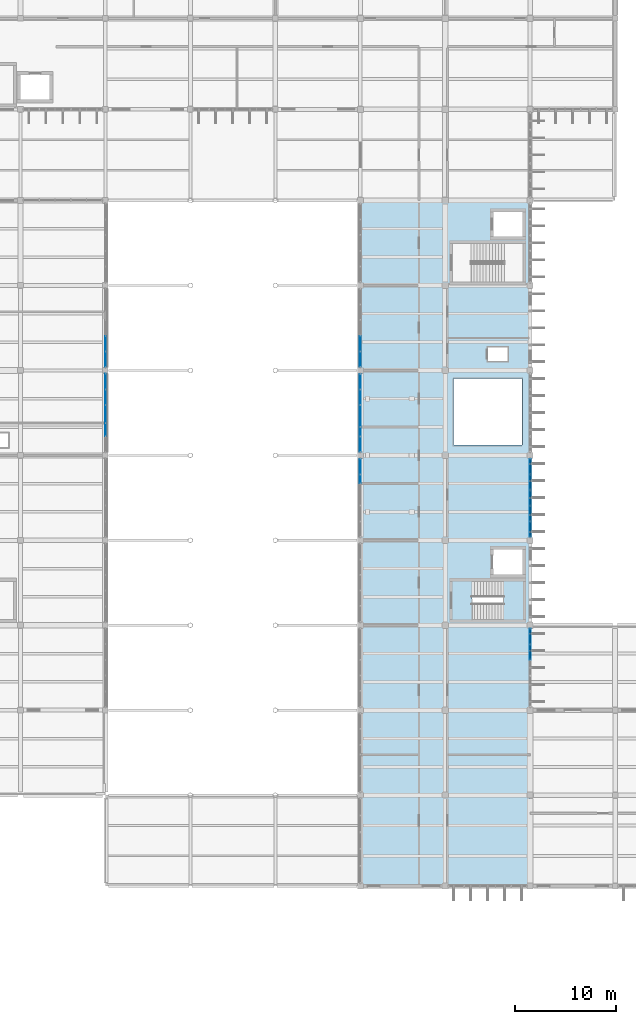
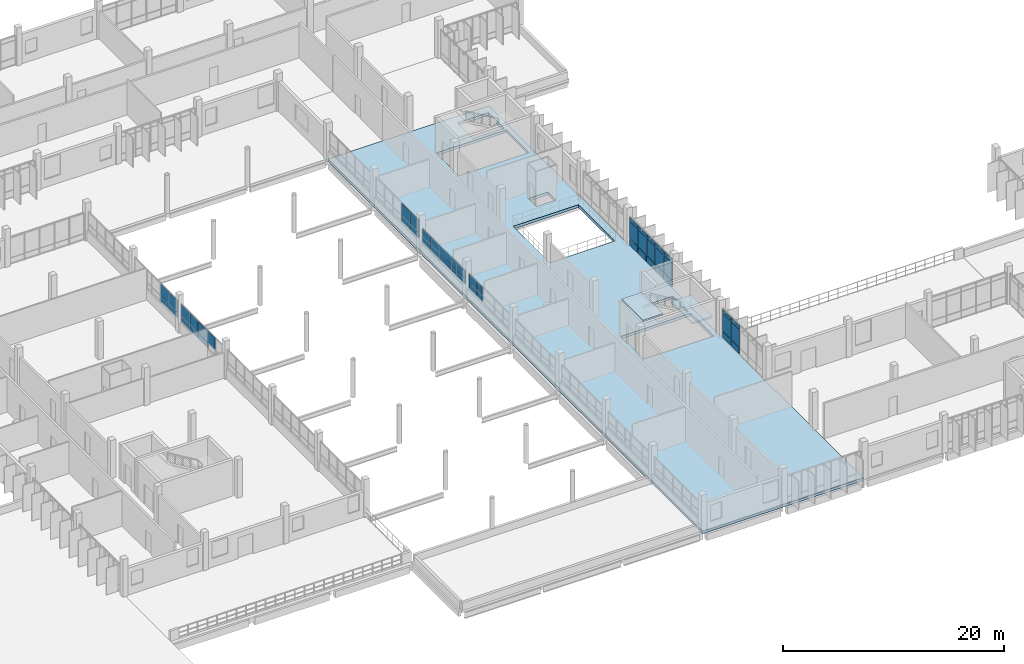
# One storey, part 98 of 130: 50 plates, 3 slabs, 6 openings, 8 elements without a shape of their own.
"""IFC4 building model written with IfcOpenShell, lengths in metres."""

import ifcopenshell
import ifcopenshell.guid

model = None  # the IFC model being written
_history = None  # IfcOwnerHistory: only IFC2X3 demands one
_inside = {}  # id of a spatial element -> (the spatial element, [elements in it])
_under = {}  # id of a project, library or spatial element -> (it, [spatial elements below it])
_declared = {}  # id of a project -> (the project, [libraries it declares])
_typed = {}  # id of a type object -> (the type object, [elements of that type])
_made_of = {}  # id of a material, layer set ... -> (it, [elements and type objects made of it])


def new_model(schema):
    """Start an empty IFC model of exactly this schema.

    Asked for "IFC4X3", IfcOpenShell would pick the latest addendum, in which some entities
    have other attributes; the version numbers below select the first issue.
    IFC2X3 requires an IfcOwnerHistory on every rooted entity: one is made here for all.
    """
    global model, _history
    if schema == "IFC4X3":
        model = ifcopenshell.file(schema_version=(4, 3, 0, 0))
    else:
        model = ifcopenshell.file(schema=schema)
    _inside.clear()
    _under.clear()
    _declared.clear()
    _typed.clear()
    _made_of.clear()
    _history = None
    if model.schema == "IFC2X3":
        org = make("IfcOrganization", Name="unknown")
        user = make(
            "IfcPersonAndOrganization",
            ThePerson=make("IfcPerson", FamilyName="unknown"),
            TheOrganization=org,
        )
        app = make(
            "IfcApplication",
            ApplicationDeveloper=org,
            Version="unknown",
            ApplicationFullName="unknown",
            ApplicationIdentifier="unknown",
        )
        _history = make(
            "IfcOwnerHistory",
            OwningUser=user,
            OwningApplication=app,
            ChangeAction="ADDED",
            CreationDate=0,
        )
    return model


def make(cls, **values):
    """One entity of the class cls with the attributes given. An attribute that is None is left unset."""
    return model.create_entity(
        cls, **{name: value for name, value in values.items() if value is not None}
    )


def rooted(cls, **values):
    """An entity with a GlobalId (a new one), such as an element, a storey or a relation."""
    return make(cls, GlobalId=ifcopenshell.guid.new(), OwnerHistory=_history, **values)


def si_unit(unit_type, name, prefix=None):
    """IfcSIUnit, for example si_unit("LENGTHUNIT", "METRE", prefix="MILLI")."""
    return make("IfcSIUnit", UnitType=unit_type, Prefix=prefix, Name=name)


def assignment(units):
    """IfcUnitAssignment: the units of a project."""
    return None if units is None else make("IfcUnitAssignment", Units=units)


def point(xyz):
    """IfcCartesianPoint."""
    return None if xyz is None else make("IfcCartesianPoint", Coordinates=xyz)


def direction(xyz):
    """IfcDirection."""
    return None if xyz is None else make("IfcDirection", DirectionRatios=xyz)


def frame(location, z_axis=None, x_axis=None):
    """IfcAxis2Placement3D, a coordinate frame: its origin and axes. An axis left out is left unset."""
    return make(
        "IfcAxis2Placement3D",
        Location=point(location),
        Axis=direction(z_axis),
        RefDirection=direction(x_axis),
    )


def frame_2d(location, x_axis=None):
    """IfcAxis2Placement2D, a coordinate frame in the plane: its origin and x axis."""
    return make(
        "IfcAxis2Placement2D", Location=point(location), RefDirection=direction(x_axis)
    )


def origin():
    """The frame at (0, 0, 0) with its axes left unset."""
    return frame((0.0, 0.0, 0.0))


def origin_2d():
    """The frame at (0, 0) in the plane with its x axis left unset."""
    return frame_2d((0.0, 0.0))


def place(relative_to, where):
    """IfcLocalPlacement: puts the frame where relative to a parent placement (None: the world)."""
    return make(
        "IfcLocalPlacement", PlacementRelTo=relative_to, RelativePlacement=where
    )


def context(
    kind, dimensions, precision=None, world=None, true_north=None, identifier=None
):
    """IfcGeometricRepresentationContext, for example the 3D "Model" context."""
    return make(
        "IfcGeometricRepresentationContext",
        ContextIdentifier=identifier,
        ContextType=kind,
        CoordinateSpaceDimension=dimensions,
        Precision=precision,
        WorldCoordinateSystem=world,
        TrueNorth=true_north,
    )


def subcontext(parent, identifier, kind, view, scale=None):
    """IfcGeometricRepresentationSubContext, for example "Body" below "Model"."""
    return make(
        "IfcGeometricRepresentationSubContext",
        ContextIdentifier=identifier,
        ContextType=kind,
        ParentContext=parent,
        TargetScale=scale,
        TargetView=view,
    )


def project(units=None, contexts=None):
    """IfcProject with its units and contexts."""
    return rooted(
        "IfcProject",
        Name="project",
        RepresentationContexts=contexts,
        UnitsInContext=assignment(units),
    )


def spatial(cls, under=None, at=None, **own):
    """A site, building, storey or space (cls), placed at a placement, below another one or the project."""
    s = rooted(cls, ObjectPlacement=at, **own)
    if under is not None:
        _under.setdefault(under.id(), (under, []))[1].append(s)
    return s


def polyline(points):
    """IfcPolyline through the points."""
    return make("IfcPolyline", Points=[point(p) for p in points])


def profile(cls, at=None, kind="AREA", **sizes):
    """A parametric profile (cls). Its sizes go by their IFC names, for example OverallWidth=200.0."""
    return make(cls, ProfileType=kind, Position=at, **sizes)


def rectangle(**sizes):
    """IfcRectangleProfileDef."""
    return profile("IfcRectangleProfileDef", **sizes)


def outline(outer, holes=None, kind="AREA"):
    """IfcArbitraryClosedProfileDef: a profile drawn as a closed curve; with holes, ...WithVoids."""
    if holes is None:
        return make("IfcArbitraryClosedProfileDef", ProfileType=kind, OuterCurve=outer)
    return make(
        "IfcArbitraryProfileDefWithVoids",
        ProfileType=kind,
        OuterCurve=outer,
        InnerCurves=holes,
    )


def extrude(swept, where, along, depth):
    """IfcExtrudedAreaSolid: the profile swept, set in the frame where, extruded along a direction by depth."""
    return make(
        "IfcExtrudedAreaSolid",
        SweptArea=swept,
        Position=where,
        ExtrudedDirection=direction(along),
        Depth=depth,
    )


def shape(context_of_items, identifier, shape_type, items):
    """IfcShapeRepresentation: the items that make up one representation, for example the "Body"."""
    return make(
        "IfcShapeRepresentation",
        ContextOfItems=context_of_items,
        RepresentationIdentifier=identifier,
        RepresentationType=shape_type,
        Items=items,
    )


def material(Name=None, Category=None):
    """IfcMaterial."""
    return make("IfcMaterial", Name=Name, Category=Category)


def layer(
    of_material, thickness, ventilated=None, Name=None, Category=None, Priority=None
):
    """IfcMaterialLayer: one layer of a wall or slab, of a material (None: an air gap)."""
    return make(
        "IfcMaterialLayer",
        Material=of_material,
        LayerThickness=thickness,
        IsVentilated=ventilated,
        Name=Name,
        Category=Category,
        Priority=Priority,
    )


def layer_set(layers, Name=None):
    """IfcMaterialLayerSet."""
    return make("IfcMaterialLayerSet", MaterialLayers=layers, LayerSetName=Name)


def made_of(thing, what):
    """Note that an element or type object is made of a material, layer set ...; save() writes the relation."""
    if what is not None:
        _made_of.setdefault(what.id(), (what, []))[1].append(thing)
    return thing


def type_object(cls, material=None, **own):
    """A type object (cls), such as IfcWallType, which elements share."""
    return made_of(rooted(cls, **own), material)


def element(
    cls,
    number,
    at=None,
    inside=None,
    cuts=None,
    type_object=None,
    material=None,
    context=None,
    identifier="Body",
    shape_type=None,
    held_by="IfcProductDefinitionShape",
    body=None,
    shapes=None,
    **own,
):
    """One element of the class cls, such as IfcWall. Its Tag is "e" and its number.

    at: its placement. inside: the storey or other place that contains it. cuts: it is an
    opening in that element (IfcRelVoidsElement). A single representation is given by context,
    identifier, shape_type and body (its items); several are given by shapes. held_by: the class
    of the entity that holds the representations. save() writes the other relations.
    """
    e = rooted(cls, Tag="e%d" % number, ObjectPlacement=at, **own)
    if body is not None:
        shapes = [shape(context, identifier, shape_type, body)]
    if shapes is not None:
        e.Representation = make(held_by, Representations=shapes)
    if inside is not None:
        _inside.setdefault(inside.id(), (inside, []))[1].append(e)
    if cuts is not None:
        rooted(
            "IfcRelVoidsElement", RelatingBuildingElement=cuts, RelatedOpeningElement=e
        )
    if type_object is not None:
        _typed.setdefault(type_object.id(), (type_object, []))[1].append(e)
    return made_of(e, material)


def aggregate(whole, parts):
    """IfcRelAggregates: a whole, such as a stair, and the parts it consists of."""
    return rooted("IfcRelAggregates", RelatingObject=whole, RelatedObjects=parts)


def save(model, path):
    """Write the relations noted so far, then the file.

    IfcRelAggregates (storeys below a building ...), IfcRelContainedInSpatialStructure (elements
    in a storey), IfcRelDefinesByType, IfcRelAssociatesMaterial and IfcRelDeclares: one each for
    every whole, place, type object, material and project.
    """
    for whole, parts in _under.values():
        aggregate(whole, parts)
    for where, things in _inside.values():
        rooted(
            "IfcRelContainedInSpatialStructure",
            RelatedElements=things,
            RelatingStructure=where,
        )
    for kind, things in _typed.values():
        rooted("IfcRelDefinesByType", RelatedObjects=things, RelatingType=kind)
    for what, things in _made_of.values():
        rooted("IfcRelAssociatesMaterial", RelatedObjects=things, RelatingMaterial=what)
    for by, libraries in _declared.values():
        rooted("IfcRelDeclares", RelatingContext=by, RelatedDefinitions=libraries)
    model.write(path)


model = new_model("IFC4")

# Units and contexts
model_context = context("Model", 3, precision=1e-05, world=origin(), true_north=direction((0.0, 1.0)))
body_context = subcontext(model_context, "Body", "Model", "MODEL_VIEW")
ifc_project = project(units=[si_unit("LENGTHUNIT", "METRE"), si_unit("AREAUNIT", "SQUARE_METRE"), si_unit("VOLUMEUNIT", "CUBIC_METRE"), si_unit("PLANEANGLEUNIT", "RADIAN"), si_unit("MASSUNIT", "GRAM", prefix="KILO")], contexts=[model_context])

# Site, building, storey
site_placement = place(None, origin())
site = spatial("IfcSite", under=ifc_project, at=site_placement, CompositionType="ELEMENT")
building_placement = place(site_placement, origin())
building = spatial("IfcBuilding", under=site, at=building_placement, Name="Vireocrest Preparatory School", CompositionType="ELEMENT")
storey_placement = place(building_placement, frame((0.0, 0.0, 9.0)))
storey = spatial("IfcBuildingStorey", under=building, at=storey_placement, Name="L02", CompositionType="ELEMENT", Elevation=9.0)

# Curtain wall, plates
ifc_material_1 = material(Name="Thermally broken aluminium EN AW-6063-T6", Category="aluminium")
ifc_layer_1 = layer(ifc_material_1, 0.179931640625)
ifc_layer_set_1 = layer_set([ifc_layer_1], Name="Thermally broken aluminium EN AW-6063-T6")
curtain_wall_type_1 = type_object("IfcCurtainWallType", Name="Teaching Fin Curtain Wall 8400x4200", PredefinedType="USERDEFINED", material=ifc_layer_set_1)
curtain_wall_1_placement = place(storey_placement, origin())
curtain_wall_1 = element("IfcCurtainWall", 1, at=curtain_wall_1_placement, inside=storey, type_object=curtain_wall_type_1, Name="Curtain Wall CW03 CW_L02_CW03_1092_0357_090", ObjectType="CURTAIN WALL", PredefinedType="USERDEFINED")
ifc_material_2 = material(Name="Insulated triple low-e tempered safety glass", Category="glass")
ifc_layer_2 = layer(ifc_material_2, 0.074951171875)
ifc_layer_set_2 = layer_set([ifc_layer_2], Name="Insulated triple low-e tempered safety glass")
plate_type_1 = type_object("IfcPlateType", Name="Acoustic Triple-Glazed Lab Curtain Panel 75", PredefinedType="CURTAIN_PANEL", material=ifc_layer_set_2)
plate_1_placement = place(storey_placement, frame((109.199951171875, 41.14599609375, 0.882568359375), z_axis=(0.0, 0.0, 1.0), x_axis=(0.0, 1.0, 0.0)))
plate_1 = element("IfcPlate", 2, at=plate_1_placement, type_object=plate_type_1, Name="CW Panel GL2 CW_L02_CW03_1092_0357_090-4-2", PredefinedType="CURTAIN_PANEL", context=body_context, shape_type="SweptSolid", body=[
    extrude(rectangle(XDim=1.48095703125, YDim=0.074951171875, at=origin_2d()), origin(), (0.0, 0.0, 1.0), 1.875),
])
plate_2_placement = place(storey_placement, frame((109.199951171875, 41.14599609375, 2.82275390625), z_axis=(0.0, 0.0, 1.0), x_axis=(0.0, 1.0, 0.0)))
plate_2 = element("IfcPlate", 3, at=plate_2_placement, type_object=plate_type_1, Name="CW Panel GL2 CW_L02_CW03_1092_0357_090-4-3", PredefinedType="CURTAIN_PANEL", context=body_context, shape_type="SweptSolid", body=[
    extrude(rectangle(XDim=1.48095703125, YDim=0.074951171875, at=origin_2d()), origin(), (0.0, 0.0, 1.0), 0.409912109375),
])
plate_3_placement = place(storey_placement, frame((109.199951171875, 42.69189453125, 0.882568359375), z_axis=(0.0, 0.0, 1.0), x_axis=(0.0, 1.0, 0.0)))
plate_3 = element("IfcPlate", 4, at=plate_3_placement, type_object=plate_type_1, Name="CW Panel GL2 CW_L02_CW03_1092_0357_090-5-2", PredefinedType="CURTAIN_PANEL", context=body_context, shape_type="SweptSolid", body=[
    extrude(rectangle(XDim=1.48095703125, YDim=0.074951171875, at=origin_2d()), origin(), (0.0, 0.0, 1.0), 1.875),
])
plate_4_placement = place(storey_placement, frame((109.199951171875, 42.69189453125, 2.82275390625), z_axis=(0.0, 0.0, 1.0), x_axis=(0.0, 1.0, 0.0)))
plate_4 = element("IfcPlate", 5, at=plate_4_placement, type_object=plate_type_1, Name="CW Panel GL2 CW_L02_CW03_1092_0357_090-5-3", PredefinedType="CURTAIN_PANEL", context=body_context, shape_type="SweptSolid", body=[
    extrude(rectangle(XDim=1.48095703125, YDim=0.074951171875, at=origin_2d()), origin(), (0.0, 0.0, 1.0), 0.409912109375),
])

curtain_wall_2_placement = place(storey_placement, origin())
curtain_wall_2 = element("IfcCurtainWall", 6, at=curtain_wall_2_placement, inside=storey, type_object=curtain_wall_type_1, Name="Curtain Wall CW03 CW_L02_CW03_1092_0525_090", ObjectType="CURTAIN WALL", PredefinedType="USERDEFINED")
plate_5_placement = place(storey_placement, frame((109.199951171875, 53.30810546875, 0.88232421875), z_axis=(0.0, 0.0, 1.0), x_axis=(0.0, 1.0, 0.0)))
plate_5 = element("IfcPlate", 7, at=plate_5_placement, type_object=plate_type_1, Name="CW Panel GL2 CW_L02_CW03_1092_0525_090-1-2", PredefinedType="CURTAIN_PANEL", context=body_context, shape_type="SweptSolid", body=[
    extrude(rectangle(XDim=1.48095703125, YDim=0.074951171875, at=origin_2d()), origin(), (0.0, 0.0, 1.0), 1.824951171875),
])
plate_6_placement = place(storey_placement, frame((109.199951171875, 53.30810546875, 2.7724609375), z_axis=(0.0, 0.0, 1.0), x_axis=(0.0, 1.0, 0.0)))
plate_6 = element("IfcPlate", 8, at=plate_6_placement, type_object=plate_type_1, Name="CW Panel GL2 CW_L02_CW03_1092_0525_090-1-3", PredefinedType="CURTAIN_PANEL", context=body_context, shape_type="SweptSolid", body=[
    extrude(rectangle(XDim=1.48095703125, YDim=0.074951171875, at=origin_2d()), origin(), (0.0, 0.0, 1.0), 0.409912109375),
])
plate_7_placement = place(storey_placement, frame((109.199951171875, 54.85400390625, 0.88232421875), z_axis=(0.0, 0.0, 1.0), x_axis=(0.0, 1.0, 0.0)))
plate_7 = element("IfcPlate", 9, at=plate_7_placement, type_object=plate_type_1, Name="CW Panel GL2 CW_L02_CW03_1092_0525_090-2-2", PredefinedType="CURTAIN_PANEL", context=body_context, shape_type="SweptSolid", body=[
    extrude(rectangle(XDim=1.48095703125, YDim=0.074951171875, at=origin_2d()), origin(), (0.0, 0.0, 1.0), 1.824951171875),
])
plate_8_placement = place(storey_placement, frame((109.199951171875, 54.85400390625, 2.7724609375), z_axis=(0.0, 0.0, 1.0), x_axis=(0.0, 1.0, 0.0)))
plate_8 = element("IfcPlate", 10, at=plate_8_placement, type_object=plate_type_1, Name="CW Panel GL2 CW_L02_CW03_1092_0525_090-2-3", PredefinedType="CURTAIN_PANEL", context=body_context, shape_type="SweptSolid", body=[
    extrude(rectangle(XDim=1.48095703125, YDim=0.074951171875, at=origin_2d()), origin(), (0.0, 0.0, 1.0), 0.409912109375),
])
plate_9_placement = place(storey_placement, frame((109.199951171875, 56.39990234375, 0.88232421875), z_axis=(0.0, 0.0, 1.0), x_axis=(0.0, 1.0, 0.0)))
plate_9 = element("IfcPlate", 11, at=plate_9_placement, type_object=plate_type_1, Name="CW Panel GL2 CW_L02_CW03_1092_0525_090-3-2", PredefinedType="CURTAIN_PANEL", context=body_context, shape_type="SweptSolid", body=[
    extrude(rectangle(XDim=1.48095703125, YDim=0.074951171875, at=origin_2d()), origin(), (0.0, 0.0, 1.0), 1.824951171875),
])
plate_10_placement = place(storey_placement, frame((109.199951171875, 56.39990234375, 2.7724609375), z_axis=(0.0, 0.0, 1.0), x_axis=(0.0, 1.0, 0.0)))
plate_10 = element("IfcPlate", 12, at=plate_10_placement, type_object=plate_type_1, Name="CW Panel GL2 CW_L02_CW03_1092_0525_090-3-3", PredefinedType="CURTAIN_PANEL", context=body_context, shape_type="SweptSolid", body=[
    extrude(rectangle(XDim=1.48095703125, YDim=0.074951171875, at=origin_2d()), origin(), (0.0, 0.0, 1.0), 0.409912109375),
])
plate_11_placement = place(storey_placement, frame((109.199951171875, 57.946044921875, 0.88232421875), z_axis=(0.0, 0.0, 1.0), x_axis=(0.0, 1.0, 0.0)))
plate_11 = element("IfcPlate", 13, at=plate_11_placement, type_object=plate_type_1, Name="CW Panel GL2 CW_L02_CW03_1092_0525_090-4-2", PredefinedType="CURTAIN_PANEL", context=body_context, shape_type="SweptSolid", body=[
    extrude(rectangle(XDim=1.48095703125, YDim=0.074951171875, at=origin_2d()), origin(), (0.0, 0.0, 1.0), 1.824951171875),
])
plate_12_placement = place(storey_placement, frame((109.199951171875, 57.946044921875, 2.7724609375), z_axis=(0.0, 0.0, 1.0), x_axis=(0.0, 1.0, 0.0)))
plate_12 = element("IfcPlate", 14, at=plate_12_placement, type_object=plate_type_1, Name="CW Panel GL2 CW_L02_CW03_1092_0525_090-4-3", PredefinedType="CURTAIN_PANEL", context=body_context, shape_type="SweptSolid", body=[
    extrude(rectangle(XDim=1.48095703125, YDim=0.074951171875, at=origin_2d()), origin(), (0.0, 0.0, 1.0), 0.409912109375),
])
plate_13_placement = place(storey_placement, frame((109.199951171875, 59.491943359375, 0.88232421875), z_axis=(0.0, 0.0, 1.0), x_axis=(0.0, 1.0, 0.0)))
plate_13 = element("IfcPlate", 15, at=plate_13_placement, type_object=plate_type_1, Name="CW Panel GL2 CW_L02_CW03_1092_0525_090-5-2", PredefinedType="CURTAIN_PANEL", context=body_context, shape_type="SweptSolid", body=[
    extrude(rectangle(XDim=1.48095703125, YDim=0.074951171875, at=origin_2d()), origin(), (0.0, 0.0, 1.0), 1.824951171875),
])
plate_14_placement = place(storey_placement, frame((109.199951171875, 59.491943359375, 2.7724609375), z_axis=(0.0, 0.0, 1.0), x_axis=(0.0, 1.0, 0.0)))
plate_14 = element("IfcPlate", 16, at=plate_14_placement, type_object=plate_type_1, Name="CW Panel GL2 CW_L02_CW03_1092_0525_090-5-3", PredefinedType="CURTAIN_PANEL", context=body_context, shape_type="SweptSolid", body=[
    extrude(rectangle(XDim=1.48095703125, YDim=0.074951171875, at=origin_2d()), origin(), (0.0, 0.0, 1.0), 0.409912109375),
])

# Plate
ifc_material_3 = material(Name="Painted white aluminium cladding EN AW-6063-T6", Category="aluminium")
ifc_layer_3 = layer(ifc_material_3, 0.114990234375)
ifc_layer_set_3 = layer_set([ifc_layer_3], Name="Painted white aluminium cladding EN AW-6063-T6")
plate_type_2 = type_object("IfcPlateType", Name="Insulated White Spandrel Curtain Panel 115", PredefinedType="CURTAIN_PANEL", material=ifc_layer_set_3)
plate_15_placement = place(storey_placement, frame((109.199951171875, 41.14599609375, 0.12744140625), z_axis=(0.0, 0.0, 1.0), x_axis=(0.0, 1.0, 0.0)))
plate_15 = element("IfcPlate", 17, at=plate_15_placement, type_object=plate_type_2, Name="CW Panel SP2 CW_L02_CW03_1092_0357_090-4-1", PredefinedType="CURTAIN_PANEL", context=body_context, shape_type="SweptSolid", body=[
    extrude(rectangle(XDim=1.48095703125, YDim=0.114990234375, at=origin_2d()), origin(), (0.0, 0.0, 1.0), 0.68994140625),
])

plate_16_placement = place(storey_placement, frame((109.199951171875, 42.69189453125, 0.12744140625), z_axis=(0.0, 0.0, 1.0), x_axis=(0.0, 1.0, 0.0)))
plate_16 = element("IfcPlate", 18, at=plate_16_placement, type_object=plate_type_2, Name="CW Panel SP2 CW_L02_CW03_1092_0357_090-5-1", PredefinedType="CURTAIN_PANEL", context=body_context, shape_type="SweptSolid", body=[
    extrude(rectangle(XDim=1.48095703125, YDim=0.114990234375, at=origin_2d()), origin(), (0.0, 0.0, 1.0), 0.68994140625),
])

aggregate(curtain_wall_1, [plate_15, plate_1, plate_2, plate_16, plate_3, plate_4])

plate_17_placement = place(storey_placement, frame((109.199951171875, 53.30810546875, 0.12744140625), z_axis=(0.0, 0.0, 1.0), x_axis=(0.0, 1.0, 0.0)))
plate_17 = element("IfcPlate", 19, at=plate_17_placement, type_object=plate_type_2, Name="CW Panel SP2 CW_L02_CW03_1092_0525_090-1-1", PredefinedType="CURTAIN_PANEL", context=body_context, shape_type="SweptSolid", body=[
    extrude(rectangle(XDim=1.48095703125, YDim=0.114990234375, at=origin_2d()), origin(), (0.0, 0.0, 1.0), 0.68994140625),
])

plate_18_placement = place(storey_placement, frame((109.199951171875, 54.85400390625, 0.12744140625), z_axis=(0.0, 0.0, 1.0), x_axis=(0.0, 1.0, 0.0)))
plate_18 = element("IfcPlate", 20, at=plate_18_placement, type_object=plate_type_2, Name="CW Panel SP2 CW_L02_CW03_1092_0525_090-2-1", PredefinedType="CURTAIN_PANEL", context=body_context, shape_type="SweptSolid", body=[
    extrude(rectangle(XDim=1.48095703125, YDim=0.114990234375, at=origin_2d()), origin(), (0.0, 0.0, 1.0), 0.68994140625),
])

plate_19_placement = place(storey_placement, frame((109.199951171875, 56.39990234375, 0.12744140625), z_axis=(0.0, 0.0, 1.0), x_axis=(0.0, 1.0, 0.0)))
plate_19 = element("IfcPlate", 21, at=plate_19_placement, type_object=plate_type_2, Name="CW Panel SP2 CW_L02_CW03_1092_0525_090-3-1", PredefinedType="CURTAIN_PANEL", context=body_context, shape_type="SweptSolid", body=[
    extrude(rectangle(XDim=1.48095703125, YDim=0.114990234375, at=origin_2d()), origin(), (0.0, 0.0, 1.0), 0.68994140625),
])

plate_20_placement = place(storey_placement, frame((109.199951171875, 57.946044921875, 0.12744140625), z_axis=(0.0, 0.0, 1.0), x_axis=(0.0, 1.0, 0.0)))
plate_20 = element("IfcPlate", 22, at=plate_20_placement, type_object=plate_type_2, Name="CW Panel SP2 CW_L02_CW03_1092_0525_090-4-1", PredefinedType="CURTAIN_PANEL", context=body_context, shape_type="SweptSolid", body=[
    extrude(rectangle(XDim=1.48095703125, YDim=0.114990234375, at=origin_2d()), origin(), (0.0, 0.0, 1.0), 0.68994140625),
])

plate_21_placement = place(storey_placement, frame((109.199951171875, 59.491943359375, 0.12744140625), z_axis=(0.0, 0.0, 1.0), x_axis=(0.0, 1.0, 0.0)))
plate_21 = element("IfcPlate", 23, at=plate_21_placement, type_object=plate_type_2, Name="CW Panel SP2 CW_L02_CW03_1092_0525_090-5-1", PredefinedType="CURTAIN_PANEL", context=body_context, shape_type="SweptSolid", body=[
    extrude(rectangle(XDim=1.48095703125, YDim=0.114990234375, at=origin_2d()), origin(), (0.0, 0.0, 1.0), 0.68994140625),
])

aggregate(curtain_wall_2, [plate_17, plate_5, plate_6, plate_18, plate_7, plate_8, plate_19, plate_9, plate_10, plate_20, plate_11, plate_12, plate_21, plate_13, plate_14])

# Slab, openings
ifc_material_4 = material(Name="Concrete 40 MPa", Category="concrete")
ifc_layer_4 = layer(ifc_material_4, 0.300048828125)
ifc_layer_set_4 = layer_set([ifc_layer_4], Name="Concrete 40 MPa")
slab_type_1 = type_object("IfcSlabType", Name="Library Stack Heavy RC Floor Slab 300", PredefinedType="FLOOR", material=ifc_layer_set_4)
slab_1_placement = place(storey_placement, frame((0.0, 0.0, -0.300048828125)))
slab_1 = element("IfcSlab", 24, at=slab_1_placement, inside=storey, type_object=slab_type_1, Name="Slab L02_EAST_WING", PredefinedType="FLOOR", context=body_context, shape_type="SweptSolid", body=[
    extrude(outline(polyline([(92.39990234375, 18.0), (109.199951171875, 18.0), (109.199951171875, 85.800048828125), (92.39990234375, 85.800048828125), (92.39990234375, 18.0)])), origin(), (0.0, 0.0, 1.0), 0.300048828125),
])
opening_1_placement = place(slab_1_placement, frame((0.0, 0.0, -0.010009765625)))
element("IfcOpeningElement", 25, at=opening_1_placement, cuts=slab_1, Name="Slab Opening SLAB_L02_EAST_WING-1", PredefinedType="OPENING", context=body_context, shape_type="SweptSolid", body=[
    extrude(outline(polyline([(101.35009765625, 44.199951171875), (108.64990234375, 44.199951171875), (108.64990234375, 48.300048828125), (101.35009765625, 48.300048828125), (101.35009765625, 44.199951171875)])), origin(), (0.0, 0.0, 1.0), 0.320068359375),
])
opening_2_placement = place(slab_1_placement, frame((0.0, 0.0, -0.010009765625)))
element("IfcOpeningElement", 26, at=opening_2_placement, cuts=slab_1, Name="Slab Opening SLAB_L02_EAST_WING-2", PredefinedType="OPENING", context=body_context, shape_type="SweptSolid", body=[
    extrude(outline(polyline([(105.39990234375, 48.64990234375), (108.60009765625, 48.64990234375), (108.60009765625, 51.449951171875), (105.39990234375, 51.449951171875), (105.39990234375, 48.64990234375)])), origin(), (0.0, 0.0, 1.0), 0.320068359375),
])
opening_3_placement = place(slab_1_placement, frame((0.0, 0.0, -0.010009765625)))
element("IfcOpeningElement", 27, at=opening_3_placement, cuts=slab_1, Name="Slab Opening SLAB_L02_EAST_WING-3", PredefinedType="OPENING", context=body_context, shape_type="SweptSolid", body=[
    extrude(outline(polyline([(101.35009765625, 77.60009765625), (108.64990234375, 77.60009765625), (108.64990234375, 81.699951171875), (101.35009765625, 81.699951171875), (101.35009765625, 77.60009765625)])), origin(), (0.0, 0.0, 1.0), 0.320068359375),
])
opening_4_placement = place(slab_1_placement, frame((0.0, 0.0, -0.010009765625)))
element("IfcOpeningElement", 28, at=opening_4_placement, cuts=slab_1, Name="Slab Opening SLAB_L02_EAST_WING-4", PredefinedType="OPENING", context=body_context, shape_type="SweptSolid", body=[
    extrude(outline(polyline([(105.39990234375, 82.050048828125), (108.60009765625, 82.050048828125), (108.60009765625, 84.85009765625), (105.39990234375, 84.85009765625), (105.39990234375, 82.050048828125)])), origin(), (0.0, 0.0, 1.0), 0.320068359375),
])
opening_5_placement = place(slab_1_placement, frame((0.0, 0.0, -0.010009765625)))
element("IfcOpeningElement", 29, at=opening_5_placement, cuts=slab_1, Name="Slab Opening SLAB_L02_EAST_WING-5", PredefinedType="OPENING", context=body_context, shape_type="SweptSolid", body=[
    extrude(outline(polyline([(101.60009765625, 61.60009765625), (108.39990234375, 61.60009765625), (108.39990234375, 68.199951171875), (101.60009765625, 68.199951171875), (101.60009765625, 61.60009765625)])), origin(), (0.0, 0.0, 1.0), 0.320068359375),
])
opening_6_placement = place(slab_1_placement, frame((0.0, 0.0, -0.010009765625)))
element("IfcOpeningElement", 30, at=opening_6_placement, cuts=slab_1, Name="Slab Opening SLAB_L02_EAST_WING-6", PredefinedType="OPENING", context=body_context, shape_type="SweptSolid", body=[
    extrude(outline(polyline([(105.0, 69.89990234375), (107.0, 69.89990234375), (107.0, 71.300048828125), (105.0, 71.300048828125), (105.0, 69.89990234375)])), origin(), (0.0, 0.0, 1.0), 0.320068359375),
])

# Stair, slabs
stair_type = type_object("IfcStairType", Name="Two-Run Exit Stair 4200 Rise 1600 Wide", PredefinedType="HALF_TURN_STAIR", material=ifc_material_4)
stair_placement = place(storey_placement, origin())
stair = element("IfcStair", 31, at=stair_placement, inside=storey, type_object=stair_type, Name="Two-Run Stair ST2-L02", PredefinedType="HALF_TURN_STAIR")
ifc_layer_5 = layer(ifc_material_4, 0.179931640625)
ifc_layer_set_5 = layer_set([ifc_layer_5], Name="Concrete 40 MPa")
slab_type_2 = type_object("IfcSlabType", Name="Precast Concrete Stair Landing Slab 180", PredefinedType="LANDING", material=ifc_layer_set_5)
slab_2_placement = place(storey_placement, frame((0.0, 0.0, 1.919921875)))
slab_2 = element("IfcSlab", 32, at=slab_2_placement, type_object=slab_type_2, Name="Stair Half-Landing ST2-L02", PredefinedType="LANDING", context=body_context, shape_type="SweptSolid", body=[
    extrude(outline(polyline([(106.534912109375, 44.31005859375), (108.64501953125, 44.31005859375), (108.64501953125, 48.18994140625), (106.534912109375, 48.18994140625), (106.534912109375, 44.31005859375)])), origin(), (0.0, 0.0, 1.0), 0.18017578125),
])
slab_3_placement = place(storey_placement, frame((0.0, 0.0, 4.02001953125)))
slab_3 = element("IfcSlab", 33, at=slab_3_placement, type_object=slab_type_2, Name="Stair Arrival Landing ST2-L02", PredefinedType="LANDING", context=body_context, shape_type="SweptSolid", body=[
    extrude(outline(polyline([(101.35498046875, 44.31005859375), (103.465087890625, 44.31005859375), (103.465087890625, 48.18994140625), (101.35498046875, 48.18994140625), (101.35498046875, 44.31005859375)])), origin(), (0.0, 0.0, 1.0), 0.179931640625),
])
aggregate(stair, [slab_2, slab_3])

# Curtain wall, plates
ifc_layer_6 = layer(ifc_material_1, 0.179931640625)
ifc_layer_set_6 = layer_set([ifc_layer_6], Name="Thermally broken aluminium EN AW-6063-T6")
curtain_wall_type_2 = type_object("IfcCurtainWallType", Name="Court Banded Curtain Wall 8400x3000", PredefinedType="USERDEFINED", material=ifc_layer_set_6)
curtain_wall_3_placement = place(storey_placement, origin())
curtain_wall_3 = element("IfcCurtainWall", 34, at=curtain_wall_3_placement, inside=storey, type_object=curtain_wall_type_2, Name="Curtain Wall CW02 CW_L02_CW02_0924_0525_102", ObjectType="CURTAIN WALL", PredefinedType="USERDEFINED")
ifc_layer_7 = layer(ifc_material_2, 0.06005859375)
ifc_layer_set_7 = layer_set([ifc_layer_7], Name="Insulated triple low-e tempered safety glass")
plate_type_3 = type_object("IfcPlateType", Name="Triple-Glazed Vision Curtain Panel 60", PredefinedType="CURTAIN_PANEL", material=ifc_layer_set_7)
plate_22_placement = place(storey_placement, frame((92.39990234375, 58.259521484375, 1.277587890625), z_axis=(0.0, 0.0, 1.0), x_axis=(0.0, 1.0, 0.0)))
plate_22 = element("IfcPlate", 35, at=plate_22_placement, type_object=plate_type_3, Name="CW Panel GL1 CW_L02_CW02_0924_0525_102-4-1", PredefinedType="CURTAIN_PANEL", context=body_context, shape_type="SweptSolid", body=[
    extrude(rectangle(XDim=0.85400390625, YDim=0.06005859375, at=origin_2d()), origin(), (0.0, 0.0, 1.0), 0.5400390625),
])
plate_23_placement = place(storey_placement, frame((92.39990234375, 58.259521484375, 1.882568359375), z_axis=(0.0, 0.0, 1.0), x_axis=(0.0, 1.0, 0.0)))
plate_23 = element("IfcPlate", 36, at=plate_23_placement, type_object=plate_type_3, Name="CW Panel GL1 CW_L02_CW02_0924_0525_102-4-2", PredefinedType="CURTAIN_PANEL", context=body_context, shape_type="SweptSolid", body=[
    extrude(rectangle(XDim=0.85400390625, YDim=0.06005859375, at=origin_2d()), origin(), (0.0, 0.0, 1.0), 0.89990234375),
])
plate_24_placement = place(storey_placement, frame((92.39990234375, 59.491943359375, 1.277587890625), z_axis=(0.0, 0.0, 1.0), x_axis=(0.0, 1.0, 0.0)))
plate_24 = element("IfcPlate", 37, at=plate_24_placement, type_object=plate_type_3, Name="CW Panel GL1 CW_L02_CW02_0924_0525_102-5-1", PredefinedType="CURTAIN_PANEL", context=body_context, shape_type="SweptSolid", body=[
    extrude(rectangle(XDim=1.48095703125, YDim=0.06005859375, at=origin_2d()), origin(), (0.0, 0.0, 1.0), 0.5400390625),
])
plate_25_placement = place(storey_placement, frame((92.39990234375, 59.491943359375, 1.882568359375), z_axis=(0.0, 0.0, 1.0), x_axis=(0.0, 1.0, 0.0)))
plate_25 = element("IfcPlate", 38, at=plate_25_placement, type_object=plate_type_3, Name="CW Panel GL1 CW_L02_CW02_0924_0525_102-5-2", PredefinedType="CURTAIN_PANEL", context=body_context, shape_type="SweptSolid", body=[
    extrude(rectangle(XDim=1.48095703125, YDim=0.06005859375, at=origin_2d()), origin(), (0.0, 0.0, 1.0), 0.89990234375),
])
aggregate(curtain_wall_3, [plate_22, plate_23, plate_24, plate_25])

curtain_wall_4_placement = place(storey_placement, origin())
curtain_wall_4 = element("IfcCurtainWall", 39, at=curtain_wall_4_placement, inside=storey, type_object=curtain_wall_type_2, Name="Curtain Wall CW02 CW_L02_CW02_0924_0609_102", ObjectType="CURTAIN WALL", PredefinedType="USERDEFINED")
plate_26_placement = place(storey_placement, frame((92.39990234375, 61.7080078125, 1.277587890625), z_axis=(0.0, 0.0, 1.0), x_axis=(0.0, 1.0, 0.0)))
plate_26 = element("IfcPlate", 40, at=plate_26_placement, type_object=plate_type_3, Name="CW Panel GL1 CW_L02_CW02_0924_0609_102-1-1", PredefinedType="CURTAIN_PANEL", context=body_context, shape_type="SweptSolid", body=[
    extrude(rectangle(XDim=1.48095703125, YDim=0.06005859375, at=origin_2d()), origin(), (0.0, 0.0, 1.0), 0.5400390625),
])
plate_27_placement = place(storey_placement, frame((92.39990234375, 61.7080078125, 1.88232421875), z_axis=(0.0, 0.0, 1.0), x_axis=(0.0, 1.0, 0.0)))
plate_27 = element("IfcPlate", 41, at=plate_27_placement, type_object=plate_type_3, Name="CW Panel GL1 CW_L02_CW02_0924_0609_102-1-2", PredefinedType="CURTAIN_PANEL", context=body_context, shape_type="SweptSolid", body=[
    extrude(rectangle(XDim=1.48095703125, YDim=0.06005859375, at=origin_2d()), origin(), (0.0, 0.0, 1.0), 0.800048828125),
])
plate_28_placement = place(storey_placement, frame((92.39990234375, 62.9404296875, 1.277587890625), z_axis=(0.0, 0.0, 1.0), x_axis=(0.0, 1.0, 0.0)))
plate_28 = element("IfcPlate", 42, at=plate_28_placement, type_object=plate_type_3, Name="CW Panel GL1 CW_L02_CW02_0924_0609_102-2-1", PredefinedType="CURTAIN_PANEL", context=body_context, shape_type="SweptSolid", body=[
    extrude(rectangle(XDim=0.85400390625, YDim=0.06005859375, at=origin_2d()), origin(), (0.0, 0.0, 1.0), 0.5400390625),
])
plate_29_placement = place(storey_placement, frame((92.39990234375, 62.9404296875, 1.88232421875), z_axis=(0.0, 0.0, 1.0), x_axis=(0.0, 1.0, 0.0)))
plate_29 = element("IfcPlate", 43, at=plate_29_placement, type_object=plate_type_3, Name="CW Panel GL1 CW_L02_CW02_0924_0609_102-2-2", PredefinedType="CURTAIN_PANEL", context=body_context, shape_type="SweptSolid", body=[
    extrude(rectangle(XDim=0.85400390625, YDim=0.06005859375, at=origin_2d()), origin(), (0.0, 0.0, 1.0), 0.800048828125),
])
plate_30_placement = place(storey_placement, frame((92.39990234375, 64.486572265625, 1.277587890625), z_axis=(0.0, 0.0, 1.0), x_axis=(0.0, 1.0, 0.0)))
plate_30 = element("IfcPlate", 44, at=plate_30_placement, type_object=plate_type_3, Name="CW Panel GL1 CW_L02_CW02_0924_0609_102-3-1", PredefinedType="CURTAIN_PANEL", context=body_context, shape_type="SweptSolid", body=[
    extrude(rectangle(XDim=2.10791015625, YDim=0.06005859375, at=origin_2d()), origin(), (0.0, 0.0, 1.0), 0.5400390625),
])
plate_31_placement = place(storey_placement, frame((92.39990234375, 64.486572265625, 1.88232421875), z_axis=(0.0, 0.0, 1.0), x_axis=(0.0, 1.0, 0.0)))
plate_31 = element("IfcPlate", 45, at=plate_31_placement, type_object=plate_type_3, Name="CW Panel GL1 CW_L02_CW02_0924_0609_102-3-2", PredefinedType="CURTAIN_PANEL", context=body_context, shape_type="SweptSolid", body=[
    extrude(rectangle(XDim=2.10791015625, YDim=0.06005859375, at=origin_2d()), origin(), (0.0, 0.0, 1.0), 0.800048828125),
])
plate_32_placement = place(storey_placement, frame((92.39990234375, 66.345947265625, 1.277587890625), z_axis=(0.0, 0.0, 1.0), x_axis=(0.0, 1.0, 0.0)))
plate_32 = element("IfcPlate", 46, at=plate_32_placement, type_object=plate_type_3, Name="CW Panel GL1 CW_L02_CW02_0924_0609_102-4-1", PredefinedType="CURTAIN_PANEL", context=body_context, shape_type="SweptSolid", body=[
    extrude(rectangle(XDim=1.48095703125, YDim=0.06005859375, at=origin_2d()), origin(), (0.0, 0.0, 1.0), 0.5400390625),
])
plate_33_placement = place(storey_placement, frame((92.39990234375, 66.345947265625, 1.88232421875), z_axis=(0.0, 0.0, 1.0), x_axis=(0.0, 1.0, 0.0)))
plate_33 = element("IfcPlate", 47, at=plate_33_placement, type_object=plate_type_3, Name="CW Panel GL1 CW_L02_CW02_0924_0609_102-4-2", PredefinedType="CURTAIN_PANEL", context=body_context, shape_type="SweptSolid", body=[
    extrude(rectangle(XDim=1.48095703125, YDim=0.06005859375, at=origin_2d()), origin(), (0.0, 0.0, 1.0), 0.800048828125),
])
plate_34_placement = place(storey_placement, frame((92.39990234375, 67.89208984375, 1.277587890625), z_axis=(0.0, 0.0, 1.0), x_axis=(0.0, 1.0, 0.0)))
plate_34 = element("IfcPlate", 48, at=plate_34_placement, type_object=plate_type_3, Name="CW Panel GL1 CW_L02_CW02_0924_0609_102-5-1", PredefinedType="CURTAIN_PANEL", context=body_context, shape_type="SweptSolid", body=[
    extrude(rectangle(XDim=1.48095703125, YDim=0.06005859375, at=origin_2d()), origin(), (0.0, 0.0, 1.0), 0.5400390625),
])
plate_35_placement = place(storey_placement, frame((92.39990234375, 67.89208984375, 1.88232421875), z_axis=(0.0, 0.0, 1.0), x_axis=(0.0, 1.0, 0.0)))
plate_35 = element("IfcPlate", 49, at=plate_35_placement, type_object=plate_type_3, Name="CW Panel GL1 CW_L02_CW02_0924_0609_102-5-2", PredefinedType="CURTAIN_PANEL", context=body_context, shape_type="SweptSolid", body=[
    extrude(rectangle(XDim=1.48095703125, YDim=0.06005859375, at=origin_2d()), origin(), (0.0, 0.0, 1.0), 0.800048828125),
])
aggregate(curtain_wall_4, [plate_26, plate_27, plate_28, plate_29, plate_30, plate_31, plate_32, plate_33, plate_34, plate_35])

curtain_wall_5_placement = place(storey_placement, origin())
curtain_wall_5 = element("IfcCurtainWall", 50, at=curtain_wall_5_placement, inside=storey, type_object=curtain_wall_type_2, Name="Curtain Wall CW02 CW_L02_CW02_0924_0693_102", ObjectType="CURTAIN WALL", PredefinedType="USERDEFINED")
plate_36_placement = place(storey_placement, frame((92.39990234375, 70.10791015625, 1.277587890625), z_axis=(0.0, 0.0, 1.0), x_axis=(0.0, 1.0, 0.0)))
plate_36 = element("IfcPlate", 51, at=plate_36_placement, type_object=plate_type_3, Name="CW Panel GL1 CW_L02_CW02_0924_0693_102-1-1", PredefinedType="CURTAIN_PANEL", context=body_context, shape_type="SweptSolid", body=[
    extrude(rectangle(XDim=1.48095703125, YDim=0.06005859375, at=origin_2d()), origin(), (0.0, 0.0, 1.0), 0.5400390625),
])
plate_37_placement = place(storey_placement, frame((92.39990234375, 70.10791015625, 1.882568359375), z_axis=(0.0, 0.0, 1.0), x_axis=(0.0, 1.0, 0.0)))
plate_37 = element("IfcPlate", 52, at=plate_37_placement, type_object=plate_type_3, Name="CW Panel GL1 CW_L02_CW02_0924_0693_102-1-2", PredefinedType="CURTAIN_PANEL", context=body_context, shape_type="SweptSolid", body=[
    extrude(rectangle(XDim=1.48095703125, YDim=0.06005859375, at=origin_2d()), origin(), (0.0, 0.0, 1.0), 1.35009765625),
])
plate_38_placement = place(storey_placement, frame((92.39990234375, 71.654052734375, 1.277587890625), z_axis=(0.0, 0.0, 1.0), x_axis=(0.0, 1.0, 0.0)))
plate_38 = element("IfcPlate", 53, at=plate_38_placement, type_object=plate_type_3, Name="CW Panel GL1 CW_L02_CW02_0924_0693_102-2-1", PredefinedType="CURTAIN_PANEL", context=body_context, shape_type="SweptSolid", body=[
    extrude(rectangle(XDim=1.48095703125, YDim=0.06005859375, at=origin_2d()), origin(), (0.0, 0.0, 1.0), 0.5400390625),
])
plate_39_placement = place(storey_placement, frame((92.39990234375, 71.654052734375, 1.882568359375), z_axis=(0.0, 0.0, 1.0), x_axis=(0.0, 1.0, 0.0)))
plate_39 = element("IfcPlate", 54, at=plate_39_placement, type_object=plate_type_3, Name="CW Panel GL1 CW_L02_CW02_0924_0693_102-2-2", PredefinedType="CURTAIN_PANEL", context=body_context, shape_type="SweptSolid", body=[
    extrude(rectangle(XDim=1.48095703125, YDim=0.06005859375, at=origin_2d()), origin(), (0.0, 0.0, 1.0), 1.35009765625),
])
aggregate(curtain_wall_5, [plate_36, plate_37, plate_38, plate_39])

curtain_wall_6_placement = place(storey_placement, origin())
curtain_wall_6 = element("IfcCurtainWall", 55, at=curtain_wall_6_placement, inside=storey, type_object=curtain_wall_type_2, Name="Curtain Wall CW02 CW_L02_CW02_0672_0608_102", ObjectType="CURTAIN WALL", PredefinedType="USERDEFINED")
plate_40_placement = place(storey_placement, frame((67.199951171875, 63.133056640625, 1.882568359375), z_axis=(0.0, 0.0, 1.0), x_axis=(0.0, 1.0, 0.0)))
plate_40 = element("IfcPlate", 56, at=plate_40_placement, type_object=plate_type_3, Name="CW Panel GL1 CW_L02_CW02_0672_0608_102-2-2", PredefinedType="CURTAIN_PANEL", context=body_context, shape_type="SweptSolid", body=[
    extrude(rectangle(XDim=1.26904296875, YDim=0.06005859375, at=origin_2d()), origin(), (0.0, 0.0, 1.0), 1.27001953125),
])
plate_41_placement = place(storey_placement, frame((67.199951171875, 64.68896484375, 1.277587890625), z_axis=(0.0, 0.0, 1.0), x_axis=(0.0, 1.0, 0.0)))
plate_41 = element("IfcPlate", 57, at=plate_41_placement, type_object=plate_type_3, Name="CW Panel GL1 CW_L02_CW02_0672_0608_102-3-1", PredefinedType="CURTAIN_PANEL", context=body_context, shape_type="SweptSolid", body=[
    extrude(rectangle(XDim=1.712890625, YDim=0.06005859375, at=origin_2d()), origin(), (0.0, 0.0, 1.0), 0.5400390625),
])
plate_42_placement = place(storey_placement, frame((67.199951171875, 64.68896484375, 1.882568359375), z_axis=(0.0, 0.0, 1.0), x_axis=(0.0, 1.0, 0.0)))
plate_42 = element("IfcPlate", 58, at=plate_42_placement, type_object=plate_type_3, Name="CW Panel GL1 CW_L02_CW02_0672_0608_102-3-2", PredefinedType="CURTAIN_PANEL", context=body_context, shape_type="SweptSolid", body=[
    extrude(rectangle(XDim=1.712890625, YDim=0.06005859375, at=origin_2d()), origin(), (0.0, 0.0, 1.0), 1.27001953125),
])
plate_43_placement = place(storey_placement, frame((67.199951171875, 66.35595703125, 1.277587890625), z_axis=(0.0, 0.0, 1.0), x_axis=(0.0, 1.0, 0.0)))
plate_43 = element("IfcPlate", 59, at=plate_43_placement, type_object=plate_type_3, Name="CW Panel GL1 CW_L02_CW02_0672_0608_102-4-1", PredefinedType="CURTAIN_PANEL", context=body_context, shape_type="SweptSolid", body=[
    extrude(rectangle(XDim=1.490966796875, YDim=0.06005859375, at=origin_2d()), origin(), (0.0, 0.0, 1.0), 0.5400390625),
])
plate_44_placement = place(storey_placement, frame((67.199951171875, 66.35595703125, 1.882568359375), z_axis=(0.0, 0.0, 1.0), x_axis=(0.0, 1.0, 0.0)))
plate_44 = element("IfcPlate", 60, at=plate_44_placement, type_object=plate_type_3, Name="CW Panel GL1 CW_L02_CW02_0672_0608_102-4-2", PredefinedType="CURTAIN_PANEL", context=body_context, shape_type="SweptSolid", body=[
    extrude(rectangle(XDim=1.490966796875, YDim=0.06005859375, at=origin_2d()), origin(), (0.0, 0.0, 1.0), 1.27001953125),
])
plate_45_placement = place(storey_placement, frame((67.199951171875, 67.912109375, 1.277587890625), z_axis=(0.0, 0.0, 1.0), x_axis=(0.0, 1.0, 0.0)))
plate_45 = element("IfcPlate", 61, at=plate_45_placement, type_object=plate_type_3, Name="CW Panel GL1 CW_L02_CW02_0672_0608_102-5-1", PredefinedType="CURTAIN_PANEL", context=body_context, shape_type="SweptSolid", body=[
    extrude(rectangle(XDim=1.490966796875, YDim=0.06005859375, at=origin_2d()), origin(), (0.0, 0.0, 1.0), 0.5400390625),
])
plate_46_placement = place(storey_placement, frame((67.199951171875, 67.912109375, 1.882568359375), z_axis=(0.0, 0.0, 1.0), x_axis=(0.0, 1.0, 0.0)))
plate_46 = element("IfcPlate", 62, at=plate_46_placement, type_object=plate_type_3, Name="CW Panel GL1 CW_L02_CW02_0672_0608_102-5-2", PredefinedType="CURTAIN_PANEL", context=body_context, shape_type="SweptSolid", body=[
    extrude(rectangle(XDim=1.490966796875, YDim=0.06005859375, at=origin_2d()), origin(), (0.0, 0.0, 1.0), 1.27001953125),
])
aggregate(curtain_wall_6, [plate_40, plate_41, plate_42, plate_43, plate_44, plate_45, plate_46])

curtain_wall_7_placement = place(storey_placement, origin())
curtain_wall_7 = element("IfcCurtainWall", 63, at=curtain_wall_7_placement, inside=storey, type_object=curtain_wall_type_2, Name="Curtain Wall CW02 CW_L02_CW02_0672_0692_102", ObjectType="CURTAIN WALL", PredefinedType="USERDEFINED")
plate_47_placement = place(storey_placement, frame((67.199951171875, 70.087890625, 1.277587890625), z_axis=(0.0, 0.0, 1.0), x_axis=(0.0, 1.0, 0.0)))
plate_47 = element("IfcPlate", 64, at=plate_47_placement, type_object=plate_type_3, Name="CW Panel GL1 CW_L02_CW02_0672_0692_102-1-1", PredefinedType="CURTAIN_PANEL", context=body_context, shape_type="SweptSolid", body=[
    extrude(rectangle(XDim=1.490966796875, YDim=0.06005859375, at=origin_2d()), origin(), (0.0, 0.0, 1.0), 0.5400390625),
])
plate_48_placement = place(storey_placement, frame((67.199951171875, 70.087890625, 1.88232421875), z_axis=(0.0, 0.0, 1.0), x_axis=(0.0, 1.0, 0.0)))
plate_48 = element("IfcPlate", 65, at=plate_48_placement, type_object=plate_type_3, Name="CW Panel GL1 CW_L02_CW02_0672_0692_102-1-2", PredefinedType="CURTAIN_PANEL", context=body_context, shape_type="SweptSolid", body=[
    extrude(rectangle(XDim=1.490966796875, YDim=0.06005859375, at=origin_2d()), origin(), (0.0, 0.0, 1.0), 1.320068359375),
])
plate_49_placement = place(storey_placement, frame((67.199951171875, 71.64404296875, 1.277587890625), z_axis=(0.0, 0.0, 1.0), x_axis=(0.0, 1.0, 0.0)))
plate_49 = element("IfcPlate", 66, at=plate_49_placement, type_object=plate_type_3, Name="CW Panel GL1 CW_L02_CW02_0672_0692_102-2-1", PredefinedType="CURTAIN_PANEL", context=body_context, shape_type="SweptSolid", body=[
    extrude(rectangle(XDim=1.490966796875, YDim=0.06005859375, at=origin_2d()), origin(), (0.0, 0.0, 1.0), 0.5400390625),
])
plate_50_placement = place(storey_placement, frame((67.199951171875, 71.64404296875, 1.88232421875), z_axis=(0.0, 0.0, 1.0), x_axis=(0.0, 1.0, 0.0)))
plate_50 = element("IfcPlate", 67, at=plate_50_placement, type_object=plate_type_3, Name="CW Panel GL1 CW_L02_CW02_0672_0692_102-2-2", PredefinedType="CURTAIN_PANEL", context=body_context, shape_type="SweptSolid", body=[
    extrude(rectangle(XDim=1.490966796875, YDim=0.06005859375, at=origin_2d()), origin(), (0.0, 0.0, 1.0), 1.320068359375),
])
aggregate(curtain_wall_7, [plate_47, plate_48, plate_49, plate_50])

save(model, "model.ifc")
